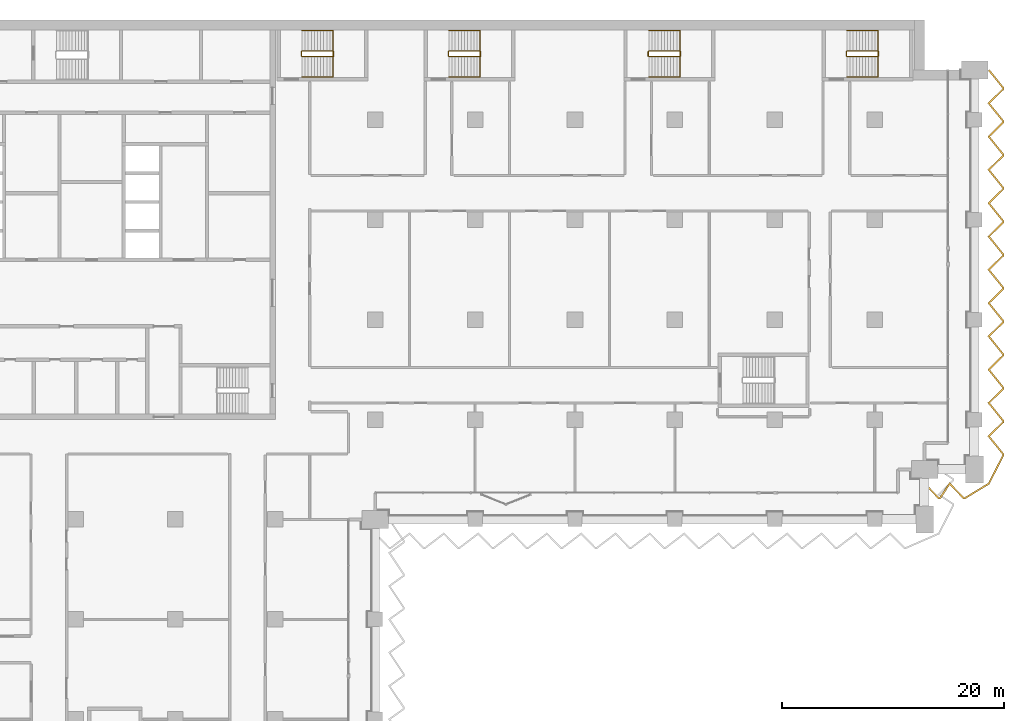
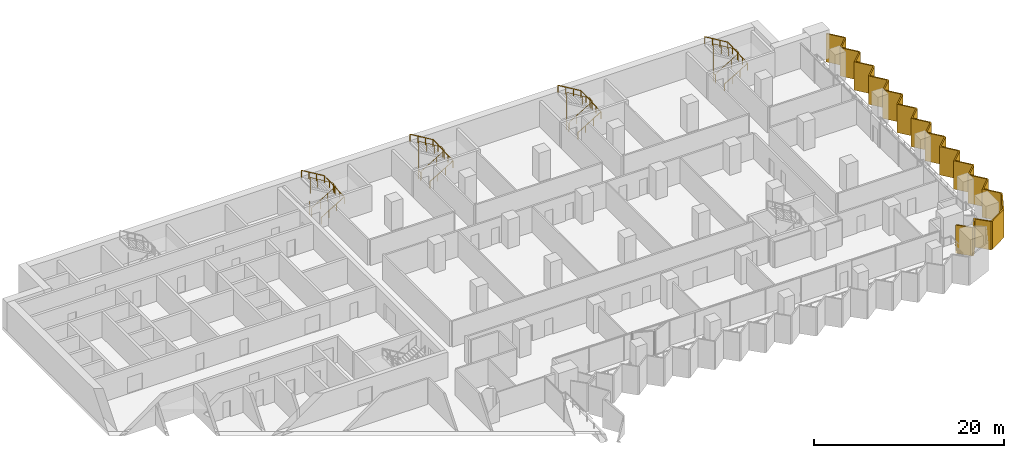
# One storey, part 27 of 28: 8 railings, 1 shading device.
"""IFC4 building model written with IfcOpenShell, lengths in metres."""

from ifc_helpers import new_model, si_unit, direction, frame, origin, origin_2d, place, context, subcontext, project, spatial, polyline, circle, outline, extrude, material, layer, layer_set, type_object, element, save


model = new_model("IFC4")

# Units and contexts
model_context = context("Model", 3, precision=1e-05, world=origin(), true_north=direction((0.0, 1.0)))
body_context = subcontext(model_context, "Body", "Model", "MODEL_VIEW")
ifc_project = project(units=[si_unit("LENGTHUNIT", "METRE"), si_unit("AREAUNIT", "SQUARE_METRE"), si_unit("VOLUMEUNIT", "CUBIC_METRE"), si_unit("PLANEANGLEUNIT", "RADIAN"), si_unit("MASSUNIT", "GRAM", prefix="KILO")], contexts=[model_context])

# Site, building, storey
site_placement = place(None, origin())
site = spatial("IfcSite", under=ifc_project, at=site_placement, CompositionType="ELEMENT")
building_placement = place(site_placement, origin())
building = spatial("IfcBuilding", under=site, at=building_placement, Name="Hunhe Ridgeline Campus", CompositionType="ELEMENT")
storey_placement = place(building_placement, frame((0.0, 0.0, 39.5)))
storey = spatial("IfcBuildingStorey", under=building, at=storey_placement, Name="L08", CompositionType="ELEMENT", Elevation=39.5)

# Shading device
ifc_material_1 = material(Name="Concrete C50", Category="concrete")
ifc_layer = layer(ifc_material_1, 0.14990234375)
ifc_layer_set = layer_set([ifc_layer], Name="Sawtooth concrete fin 150 Concrete C50")
shading_device_type = type_object("IfcShadingDeviceType", Name="Sawtooth concrete fin 150 Concrete C50", PredefinedType="USERDEFINED", material=ifc_layer_set)
shading_device_placement = place(storey_placement, frame((0.0, 0.0, -0.949951171875)))
element("IfcShadingDevice", 1, at=shading_device_placement, inside=storey, type_object=shading_device_type, Name="Concrete fin screen 3", ObjectType="FIN", PredefinedType="USERDEFINED", context=body_context, shape_type="SweptSolid", body=[
    extrude(outline(polyline([(94.5537109375, 57.27734375), (94.4462890625, 57.172607421875), (95.73583984375, 55.85009765625), (95.927734375, 55.85009765625), (96.76123046875, 57.106201171875), (97.98583984375, 55.85009765625), (98.158447265625, 55.85009765625), (100.33203125, 57.171875), (101.64990234375, 59.74951171875), (101.64990234375, 59.9140625), (100.376220703125, 61.493896484375), (101.64990234375, 62.73583984375), (101.64990234375, 62.9140625), (100.376220703125, 64.493896484375), (101.64990234375, 65.73583984375), (101.64990234375, 65.9140625), (100.376220703125, 67.493896484375), (101.64990234375, 68.73583984375), (101.64990234375, 68.9140625), (100.376220703125, 70.493896484375), (101.64990234375, 71.73583984375), (101.64990234375, 71.9140625), (100.376220703125, 73.493896484375), (101.64990234375, 74.73583984375), (101.64990234375, 74.9140625), (100.376220703125, 76.493896484375), (101.64990234375, 77.73583984375), (101.64990234375, 77.9140625), (100.376220703125, 79.493896484375), (101.64990234375, 80.73583984375), (101.64990234375, 80.9140625), (100.376220703125, 82.493896484375), (101.64990234375, 83.73583984375), (101.64990234375, 83.9140625), (100.376220703125, 85.493896484375), (101.64990234375, 86.73583984375), (101.64990234375, 86.9140625), (100.376220703125, 88.493896484375), (101.64990234375, 89.73583984375), (101.64990234375, 89.9140625), (100.376220703125, 91.493896484375), (101.64990234375, 92.73583984375), (101.64990234375, 92.9140625), (100.33349609375, 94.547119140625), (100.216552734375, 94.452880859375), (101.5, 92.861083984375), (101.5, 92.799072265625), (100.173828125, 91.506103515625), (101.5, 89.861083984375), (101.5, 89.799072265625), (100.173828125, 88.506103515625), (101.5, 86.861083984375), (101.5, 86.799072265625), (100.173828125, 85.506103515625), (101.5, 83.861083984375), (101.5, 83.799072265625), (100.173828125, 82.506103515625), (101.5, 80.861083984375), (101.5, 80.799072265625), (100.173828125, 79.506103515625), (101.5, 77.861083984375), (101.5, 77.799072265625), (100.173828125, 76.506103515625), (101.5, 74.861083984375), (101.5, 74.799072265625), (100.173828125, 73.506103515625), (101.5, 71.861083984375), (101.5, 71.799072265625), (100.173828125, 70.506103515625), (101.5, 68.861083984375), (101.5, 68.799072265625), (100.173828125, 67.506103515625), (101.5, 65.861083984375), (101.5, 65.799072265625), (100.173828125, 64.506103515625), (101.5, 62.861083984375), (101.5, 62.799072265625), (100.173828125, 61.506103515625), (101.5, 59.861083984375), (101.5, 59.78564453125), (100.2177734375, 57.278076171875), (98.116455078125, 56.0), (98.049072265625, 56.0), (96.73876953125, 57.34375), (95.84716796875, 56.0), (95.799072265625, 56.0), (94.5537109375, 57.27734375)])), origin(), (0.0, 0.0, 1.0), 3.64990234375),
])

# Railings
ifc_material_2 = material(Name="Stainless steel balustrade", Category="steel")
railing_type_1 = type_object("IfcRailingType", Name="Stair guard 1100 stainless", PredefinedType="GUARDRAIL", material=ifc_material_2)
railing_1_placement = place(storey_placement, frame((38.39990234375, 95.699951171875, 0.168212890625)))
element("IfcRailing", 2, at=railing_1_placement, inside=storey, type_object=railing_type_1, Name="L08 stair E1 guard", PredefinedType="GUARDRAIL", context=body_context, shape_type="SweptSolid", body=[
    extrude(circle(Radius=0.02392578125, at=origin_2d()), frame((0.0, 0.0, 1.076171875), z_axis=(0.857242210791, 0.0, 0.514913383045), x_axis=(0.0, 1.0, 0.0)), (0.0, 0.0, 1.0), 3.266357421875),
    extrude(circle(Radius=0.02392578125, at=origin_2d()), frame((2.800048828125, 0.0, 2.7578125), z_axis=(0.707106781187, 0.707106781187, 0.0), x_axis=(-0.707106781187, 0.707106781187, 0.0)), (0.0, 0.0, 1.0), 0.07080078125),
    extrude(circle(Radius=0.02392578125, at=origin_2d()), frame((2.85009765625, 0.050048828125, 2.7578125), z_axis=(0.0, 1.0, 0.0), x_axis=(-1.0, 0.0, 0.0)), (0.0, 0.0, 1.0), 0.39990234375),
    extrude(circle(Radius=0.02392578125, at=origin_2d()), frame((2.85009765625, 0.449951171875, 2.7578125), z_axis=(-0.274582412415, 0.274582412415, 0.921525364591), x_axis=(-0.707106781187, -0.707106781187, 0.0)), (0.0, 0.0, 1.0), 0.182373046875),
    extrude(circle(Radius=0.02392578125, at=origin_2d()), frame((2.800048828125, 0.5, 2.92578125), z_axis=(-0.857242210791, 0.0, 0.514913383045), x_axis=(0.0, -1.0, 0.0)), (0.0, 0.0, 1.0), 3.266357421875),
    extrude(circle(Radius=0.02392578125, at=origin_2d()), frame((0.0, 0.5, 4.60791015625), z_axis=(-0.013458453615, -0.013524426427, -0.999817963389), x_axis=(0.708833529934, -0.705375805398, 0.0)), (0.0, 0.0, 1.0), 3.70068359375),
    extrude(circle(Radius=0.02392578125, at=origin_2d()), frame((-0.0498046875, 0.449951171875, 0.90771484375), z_axis=(0.0, -1.0, 0.0), x_axis=(1.0, 0.0, 0.0)), (0.0, 0.0, 1.0), 0.39990234375),
    extrude(circle(Radius=0.02099609375, at=origin_2d()), origin(), (0.0, 0.0, 1.0), 1.052001953125),
    extrude(circle(Radius=0.02099609375, at=origin_2d()), frame((0.933349609375, 0.0, 0.560546875)), (0.0, 0.0, 1.0), 1.052001953125),
    extrude(circle(Radius=0.02099609375, at=origin_2d()), frame((1.86669921875, 0.0, 1.121337890625)), (0.0, 0.0, 1.0), 1.052001953125),
    extrude(circle(Radius=0.02099609375, at=origin_2d()), frame((2.800048828125, 0.0, 1.681884765625)), (0.0, 0.0, 1.0), 1.052001953125),
    extrude(circle(Radius=0.02099609375, at=origin_2d()), frame((2.85009765625, 0.050048828125, 1.681884765625)), (0.0, 0.0, 1.0), 1.052001953125),
    extrude(circle(Radius=0.02099609375, at=origin_2d()), frame((2.85009765625, 0.449951171875, 1.681884765625)), (0.0, 0.0, 1.0), 1.052001953125),
    extrude(circle(Radius=0.02099609375, at=origin_2d()), frame((2.800048828125, 0.5, 1.849853515625)), (0.0, 0.0, 1.0), 1.052001953125),
    extrude(circle(Radius=0.02099609375, at=origin_2d()), frame((1.86669921875, 0.5, 2.410400390625)), (0.0, 0.0, 1.0), 1.052001953125),
    extrude(circle(Radius=0.02099609375, at=origin_2d()), frame((0.933349609375, 0.5, 2.97119140625)), (0.0, 0.0, 1.0), 1.052001953125),
    extrude(circle(Radius=0.02099609375, at=origin_2d()), frame((0.0, 0.5, 3.53173828125)), (0.0, 0.0, 1.0), 1.052001953125),
    extrude(circle(Radius=0.02099609375, at=origin_2d()), frame((-0.012451171875, 0.487548828125, 2.606689453125)), (0.0, 0.0, 1.0), 1.052001953125),
    extrude(circle(Radius=0.02099609375, at=origin_2d()), frame((-0.02490234375, 0.47509765625, 1.681640625)), (0.0, 0.0, 1.0), 1.052001953125),
    extrude(circle(Radius=0.02099609375, at=origin_2d()), frame((-0.037353515625, 0.46240234375, 0.7568359375)), (0.0, 0.0, 1.0), 1.052001953125),
    extrude(circle(Radius=0.02099609375, at=origin_2d()), frame((-0.0498046875, 0.449951171875, -0.168212890625)), (0.0, 0.0, 1.0), 1.052001953125),
    extrude(circle(Radius=0.02099609375, at=origin_2d()), frame((-0.0498046875, 0.050048828125, -0.168212890625)), (0.0, 0.0, 1.0), 1.052001953125),
])
railing_2_placement = place(storey_placement, frame((51.64990234375, 95.699951171875, 0.168212890625)))
element("IfcRailing", 3, at=railing_2_placement, inside=storey, type_object=railing_type_1, Name="L08 stair E2 guard", PredefinedType="GUARDRAIL", context=body_context, shape_type="SweptSolid", body=[
    extrude(circle(Radius=0.02392578125, at=origin_2d()), frame((0.0, 0.0, 1.076171875), z_axis=(0.857242210791, 0.0, 0.514913383045), x_axis=(0.0, 1.0, 0.0)), (0.0, 0.0, 1.0), 3.266357421875),
    extrude(circle(Radius=0.02392578125, at=origin_2d()), frame((2.800048828125, 0.0, 2.7578125), z_axis=(0.707106781187, 0.707106781187, 0.0), x_axis=(-0.707106781187, 0.707106781187, 0.0)), (0.0, 0.0, 1.0), 0.07080078125),
    extrude(circle(Radius=0.02392578125, at=origin_2d()), frame((2.85009765625, 0.050048828125, 2.7578125), z_axis=(0.0, 1.0, 0.0), x_axis=(-1.0, 0.0, 0.0)), (0.0, 0.0, 1.0), 0.39990234375),
    extrude(circle(Radius=0.02392578125, at=origin_2d()), frame((2.85009765625, 0.449951171875, 2.7578125), z_axis=(-0.274582412415, 0.274582412415, 0.921525364591), x_axis=(-0.707106781187, -0.707106781187, 0.0)), (0.0, 0.0, 1.0), 0.182373046875),
    extrude(circle(Radius=0.02392578125, at=origin_2d()), frame((2.800048828125, 0.5, 2.92578125), z_axis=(-0.857242210791, 0.0, 0.514913383045), x_axis=(0.0, -1.0, 0.0)), (0.0, 0.0, 1.0), 3.266357421875),
    extrude(circle(Radius=0.02392578125, at=origin_2d()), frame((0.0, 0.5, 4.60791015625), z_axis=(-0.013458453615, -0.013524426427, -0.999817963389), x_axis=(0.708833529934, -0.705375805398, 0.0)), (0.0, 0.0, 1.0), 3.70068359375),
    extrude(circle(Radius=0.02392578125, at=origin_2d()), frame((-0.0498046875, 0.449951171875, 0.90771484375), z_axis=(0.0, -1.0, 0.0), x_axis=(1.0, 0.0, 0.0)), (0.0, 0.0, 1.0), 0.39990234375),
    extrude(circle(Radius=0.02099609375, at=origin_2d()), origin(), (0.0, 0.0, 1.0), 1.052001953125),
    extrude(circle(Radius=0.02099609375, at=origin_2d()), frame((0.933349609375, 0.0, 0.560546875)), (0.0, 0.0, 1.0), 1.052001953125),
    extrude(circle(Radius=0.02099609375, at=origin_2d()), frame((1.86669921875, 0.0, 1.121337890625)), (0.0, 0.0, 1.0), 1.052001953125),
    extrude(circle(Radius=0.02099609375, at=origin_2d()), frame((2.800048828125, 0.0, 1.681884765625)), (0.0, 0.0, 1.0), 1.052001953125),
    extrude(circle(Radius=0.02099609375, at=origin_2d()), frame((2.85009765625, 0.050048828125, 1.681884765625)), (0.0, 0.0, 1.0), 1.052001953125),
    extrude(circle(Radius=0.02099609375, at=origin_2d()), frame((2.85009765625, 0.449951171875, 1.681884765625)), (0.0, 0.0, 1.0), 1.052001953125),
    extrude(circle(Radius=0.02099609375, at=origin_2d()), frame((2.800048828125, 0.5, 1.849853515625)), (0.0, 0.0, 1.0), 1.052001953125),
    extrude(circle(Radius=0.02099609375, at=origin_2d()), frame((1.86669921875, 0.5, 2.410400390625)), (0.0, 0.0, 1.0), 1.052001953125),
    extrude(circle(Radius=0.02099609375, at=origin_2d()), frame((0.933349609375, 0.5, 2.97119140625)), (0.0, 0.0, 1.0), 1.052001953125),
    extrude(circle(Radius=0.02099609375, at=origin_2d()), frame((0.0, 0.5, 3.53173828125)), (0.0, 0.0, 1.0), 1.052001953125),
    extrude(circle(Radius=0.02099609375, at=origin_2d()), frame((-0.012451171875, 0.487548828125, 2.606689453125)), (0.0, 0.0, 1.0), 1.052001953125),
    extrude(circle(Radius=0.02099609375, at=origin_2d()), frame((-0.02490234375, 0.47509765625, 1.681640625)), (0.0, 0.0, 1.0), 1.052001953125),
    extrude(circle(Radius=0.02099609375, at=origin_2d()), frame((-0.037353515625, 0.46240234375, 0.7568359375)), (0.0, 0.0, 1.0), 1.052001953125),
    extrude(circle(Radius=0.02099609375, at=origin_2d()), frame((-0.0498046875, 0.449951171875, -0.168212890625)), (0.0, 0.0, 1.0), 1.052001953125),
    extrude(circle(Radius=0.02099609375, at=origin_2d()), frame((-0.0498046875, 0.050048828125, -0.168212890625)), (0.0, 0.0, 1.0), 1.052001953125),
])
railing_3_placement = place(storey_placement, frame((69.64990234375, 95.699951171875, 0.168212890625)))
element("IfcRailing", 4, at=railing_3_placement, inside=storey, type_object=railing_type_1, Name="L08 stair E3 guard", PredefinedType="GUARDRAIL", context=body_context, shape_type="SweptSolid", body=[
    extrude(circle(Radius=0.02392578125, at=origin_2d()), frame((0.0, 0.0, 1.076171875), z_axis=(0.857242210791, 0.0, 0.514913383045), x_axis=(0.0, 1.0, 0.0)), (0.0, 0.0, 1.0), 3.266357421875),
    extrude(circle(Radius=0.02392578125, at=origin_2d()), frame((2.800048828125, 0.0, 2.7578125), z_axis=(0.707106781187, 0.707106781187, 0.0), x_axis=(-0.707106781187, 0.707106781187, 0.0)), (0.0, 0.0, 1.0), 0.07080078125),
    extrude(circle(Radius=0.02392578125, at=origin_2d()), frame((2.85009765625, 0.050048828125, 2.7578125), z_axis=(0.0, 1.0, 0.0), x_axis=(-1.0, 0.0, 0.0)), (0.0, 0.0, 1.0), 0.39990234375),
    extrude(circle(Radius=0.02392578125, at=origin_2d()), frame((2.85009765625, 0.449951171875, 2.7578125), z_axis=(-0.274582412415, 0.274582412415, 0.921525364591), x_axis=(-0.707106781187, -0.707106781187, 0.0)), (0.0, 0.0, 1.0), 0.182373046875),
    extrude(circle(Radius=0.02392578125, at=origin_2d()), frame((2.800048828125, 0.5, 2.92578125), z_axis=(-0.857242210791, 0.0, 0.514913383045), x_axis=(0.0, -1.0, 0.0)), (0.0, 0.0, 1.0), 3.266357421875),
    extrude(circle(Radius=0.02392578125, at=origin_2d()), frame((0.0, 0.5, 4.60791015625), z_axis=(-0.013458453615, -0.013524426427, -0.999817963389), x_axis=(0.708833529934, -0.705375805398, 0.0)), (0.0, 0.0, 1.0), 3.70068359375),
    extrude(circle(Radius=0.02392578125, at=origin_2d()), frame((-0.0498046875, 0.449951171875, 0.90771484375), z_axis=(0.0, -1.0, 0.0), x_axis=(1.0, 0.0, 0.0)), (0.0, 0.0, 1.0), 0.39990234375),
    extrude(circle(Radius=0.02099609375, at=origin_2d()), origin(), (0.0, 0.0, 1.0), 1.052001953125),
    extrude(circle(Radius=0.02099609375, at=origin_2d()), frame((0.933349609375, 0.0, 0.560546875)), (0.0, 0.0, 1.0), 1.052001953125),
    extrude(circle(Radius=0.02099609375, at=origin_2d()), frame((1.86669921875, 0.0, 1.121337890625)), (0.0, 0.0, 1.0), 1.052001953125),
    extrude(circle(Radius=0.02099609375, at=origin_2d()), frame((2.800048828125, 0.0, 1.681884765625)), (0.0, 0.0, 1.0), 1.052001953125),
    extrude(circle(Radius=0.02099609375, at=origin_2d()), frame((2.85009765625, 0.050048828125, 1.681884765625)), (0.0, 0.0, 1.0), 1.052001953125),
    extrude(circle(Radius=0.02099609375, at=origin_2d()), frame((2.85009765625, 0.449951171875, 1.681884765625)), (0.0, 0.0, 1.0), 1.052001953125),
    extrude(circle(Radius=0.02099609375, at=origin_2d()), frame((2.800048828125, 0.5, 1.849853515625)), (0.0, 0.0, 1.0), 1.052001953125),
    extrude(circle(Radius=0.02099609375, at=origin_2d()), frame((1.86669921875, 0.5, 2.410400390625)), (0.0, 0.0, 1.0), 1.052001953125),
    extrude(circle(Radius=0.02099609375, at=origin_2d()), frame((0.933349609375, 0.5, 2.97119140625)), (0.0, 0.0, 1.0), 1.052001953125),
    extrude(circle(Radius=0.02099609375, at=origin_2d()), frame((0.0, 0.5, 3.53173828125)), (0.0, 0.0, 1.0), 1.052001953125),
    extrude(circle(Radius=0.02099609375, at=origin_2d()), frame((-0.012451171875, 0.487548828125, 2.606689453125)), (0.0, 0.0, 1.0), 1.052001953125),
    extrude(circle(Radius=0.02099609375, at=origin_2d()), frame((-0.02490234375, 0.47509765625, 1.681640625)), (0.0, 0.0, 1.0), 1.052001953125),
    extrude(circle(Radius=0.02099609375, at=origin_2d()), frame((-0.037353515625, 0.46240234375, 0.7568359375)), (0.0, 0.0, 1.0), 1.052001953125),
    extrude(circle(Radius=0.02099609375, at=origin_2d()), frame((-0.0498046875, 0.449951171875, -0.168212890625)), (0.0, 0.0, 1.0), 1.052001953125),
    extrude(circle(Radius=0.02099609375, at=origin_2d()), frame((-0.0498046875, 0.050048828125, -0.168212890625)), (0.0, 0.0, 1.0), 1.052001953125),
])
railing_4_placement = place(storey_placement, frame((87.5, 95.699951171875, 0.168212890625)))
element("IfcRailing", 5, at=railing_4_placement, inside=storey, type_object=railing_type_1, Name="L08 stair E4 guard", PredefinedType="GUARDRAIL", context=body_context, shape_type="SweptSolid", body=[
    extrude(circle(Radius=0.02392578125, at=origin_2d()), frame((0.0, 0.0, 1.076171875), z_axis=(0.857242210791, 0.0, 0.514913383045), x_axis=(0.0, 1.0, 0.0)), (0.0, 0.0, 1.0), 3.266357421875),
    extrude(circle(Radius=0.02392578125, at=origin_2d()), frame((2.800048828125, 0.0, 2.7578125), z_axis=(0.707106781187, 0.707106781187, 0.0), x_axis=(-0.707106781187, 0.707106781187, 0.0)), (0.0, 0.0, 1.0), 0.07080078125),
    extrude(circle(Radius=0.02392578125, at=origin_2d()), frame((2.85009765625, 0.050048828125, 2.7578125), z_axis=(0.0, 1.0, 0.0), x_axis=(-1.0, 0.0, 0.0)), (0.0, 0.0, 1.0), 0.39990234375),
    extrude(circle(Radius=0.02392578125, at=origin_2d()), frame((2.85009765625, 0.449951171875, 2.7578125), z_axis=(-0.274582412415, 0.274582412415, 0.921525364591), x_axis=(-0.707106781187, -0.707106781187, 0.0)), (0.0, 0.0, 1.0), 0.182373046875),
    extrude(circle(Radius=0.02392578125, at=origin_2d()), frame((2.800048828125, 0.5, 2.92578125), z_axis=(-0.857242210791, 0.0, 0.514913383045), x_axis=(0.0, -1.0, 0.0)), (0.0, 0.0, 1.0), 3.266357421875),
    extrude(circle(Radius=0.02392578125, at=origin_2d()), frame((0.0, 0.5, 4.60791015625), z_axis=(-0.013524414389, -0.013524414389, -0.999817073484), x_axis=(0.707106781187, -0.707106781187, 0.0)), (0.0, 0.0, 1.0), 3.70068359375),
    extrude(circle(Radius=0.02392578125, at=origin_2d()), frame((-0.050048828125, 0.449951171875, 0.90771484375), z_axis=(0.0, -1.0, 0.0), x_axis=(1.0, 0.0, 0.0)), (0.0, 0.0, 1.0), 0.39990234375),
    extrude(circle(Radius=0.02099609375, at=origin_2d()), origin(), (0.0, 0.0, 1.0), 1.052001953125),
    extrude(circle(Radius=0.02099609375, at=origin_2d()), frame((0.933349609375, 0.0, 0.560546875)), (0.0, 0.0, 1.0), 1.052001953125),
    extrude(circle(Radius=0.02099609375, at=origin_2d()), frame((1.86669921875, 0.0, 1.121337890625)), (0.0, 0.0, 1.0), 1.052001953125),
    extrude(circle(Radius=0.02099609375, at=origin_2d()), frame((2.800048828125, 0.0, 1.681884765625)), (0.0, 0.0, 1.0), 1.052001953125),
    extrude(circle(Radius=0.02099609375, at=origin_2d()), frame((2.85009765625, 0.050048828125, 1.681884765625)), (0.0, 0.0, 1.0), 1.052001953125),
    extrude(circle(Radius=0.02099609375, at=origin_2d()), frame((2.85009765625, 0.449951171875, 1.681884765625)), (0.0, 0.0, 1.0), 1.052001953125),
    extrude(circle(Radius=0.02099609375, at=origin_2d()), frame((2.800048828125, 0.5, 1.849853515625)), (0.0, 0.0, 1.0), 1.052001953125),
    extrude(circle(Radius=0.02099609375, at=origin_2d()), frame((1.86669921875, 0.5, 2.410400390625)), (0.0, 0.0, 1.0), 1.052001953125),
    extrude(circle(Radius=0.02099609375, at=origin_2d()), frame((0.933349609375, 0.5, 2.97119140625)), (0.0, 0.0, 1.0), 1.052001953125),
    extrude(circle(Radius=0.02099609375, at=origin_2d()), frame((0.0, 0.5, 3.53173828125)), (0.0, 0.0, 1.0), 1.052001953125),
    extrude(circle(Radius=0.02099609375, at=origin_2d()), frame((-0.012451171875, 0.487548828125, 2.606689453125)), (0.0, 0.0, 1.0), 1.052001953125),
    extrude(circle(Radius=0.02099609375, at=origin_2d()), frame((-0.02490234375, 0.47509765625, 1.681640625)), (0.0, 0.0, 1.0), 1.052001953125),
    extrude(circle(Radius=0.02099609375, at=origin_2d()), frame((-0.03759765625, 0.46240234375, 0.7568359375)), (0.0, 0.0, 1.0), 1.052001953125),
    extrude(circle(Radius=0.02099609375, at=origin_2d()), frame((-0.050048828125, 0.449951171875, -0.168212890625)), (0.0, 0.0, 1.0), 1.052001953125),
    extrude(circle(Radius=0.02099609375, at=origin_2d()), frame((-0.050048828125, 0.050048828125, -0.168212890625)), (0.0, 0.0, 1.0), 1.052001953125),
])
ifc_material_3 = material(Name="Stainless steel handrail", Category="steel")
railing_type_2 = type_object("IfcRailingType", Name="Stair handrail 900 stainless", PredefinedType="HANDRAIL", material=ifc_material_3)
railing_5_placement = place(storey_placement, frame((38.39990234375, 93.85009765625, 0.168212890625)))
element("IfcRailing", 6, at=railing_5_placement, inside=storey, type_object=railing_type_2, Name="L08 stair E1 handrail", PredefinedType="HANDRAIL", context=body_context, shape_type="SweptSolid", body=[
    extrude(circle(Radius=0.02392578125, at=origin_2d()), frame((0.0, 0.0, 0.8759765625), z_axis=(0.857242210791, 0.0, 0.514913383045), x_axis=(0.0, 1.0, 0.0)), (0.0, 0.0, 1.0), 3.266357421875),
    extrude(circle(Radius=0.02392578125, at=origin_2d()), frame((2.800048828125, 0.0, 2.5576171875), z_axis=(0.0, 0.99920123705, 0.039961079526), x_axis=(-1.0, 0.0, 0.0)), (0.0, 0.0, 1.0), 4.203369140625),
    extrude(circle(Radius=0.02392578125, at=origin_2d()), frame((2.800048828125, 4.199951171875, 2.7255859375), z_axis=(-0.857242210791, 0.0, 0.514913383045), x_axis=(0.0, -1.0, 0.0)), (0.0, 0.0, 1.0), 3.266357421875),
    extrude(circle(Radius=0.02099609375, at=origin_2d()), origin(), (0.0, 0.0, 1.0), 0.851806640625),
    extrude(circle(Radius=0.02099609375, at=origin_2d()), frame((0.933349609375, 0.0, 0.560546875)), (0.0, 0.0, 1.0), 0.851806640625),
    extrude(circle(Radius=0.02099609375, at=origin_2d()), frame((1.86669921875, 0.0, 1.121337890625)), (0.0, 0.0, 1.0), 0.851806640625),
    extrude(circle(Radius=0.02099609375, at=origin_2d()), frame((2.800048828125, 0.0, 1.681884765625)), (0.0, 0.0, 1.0), 0.851806640625),
    extrude(circle(Radius=0.02099609375, at=origin_2d()), frame((2.800048828125, 1.050048828125, 1.723876953125)), (0.0, 0.0, 1.0), 0.851806640625),
    extrude(circle(Radius=0.02099609375, at=origin_2d()), frame((2.800048828125, 2.10009765625, 1.765869140625)), (0.0, 0.0, 1.0), 0.851806640625),
    extrude(circle(Radius=0.02099609375, at=origin_2d()), frame((2.800048828125, 3.14990234375, 1.807861328125)), (0.0, 0.0, 1.0), 0.851806640625),
    extrude(circle(Radius=0.02099609375, at=origin_2d()), frame((2.800048828125, 4.199951171875, 1.849853515625)), (0.0, 0.0, 1.0), 0.851806640625),
    extrude(circle(Radius=0.02099609375, at=origin_2d()), frame((1.86669921875, 4.199951171875, 2.410400390625)), (0.0, 0.0, 1.0), 0.851806640625),
    extrude(circle(Radius=0.02099609375, at=origin_2d()), frame((0.933349609375, 4.199951171875, 2.97119140625)), (0.0, 0.0, 1.0), 0.851806640625),
    extrude(circle(Radius=0.02099609375, at=origin_2d()), frame((0.0, 4.199951171875, 3.53173828125)), (0.0, 0.0, 1.0), 0.851806640625),
])
railing_6_placement = place(storey_placement, frame((51.64990234375, 93.85009765625, 0.168212890625)))
element("IfcRailing", 7, at=railing_6_placement, inside=storey, type_object=railing_type_2, Name="L08 stair E2 handrail", PredefinedType="HANDRAIL", context=body_context, shape_type="SweptSolid", body=[
    extrude(circle(Radius=0.02392578125, at=origin_2d()), frame((0.0, 0.0, 0.8759765625), z_axis=(0.857242210791, 0.0, 0.514913383045), x_axis=(0.0, 1.0, 0.0)), (0.0, 0.0, 1.0), 3.266357421875),
    extrude(circle(Radius=0.02392578125, at=origin_2d()), frame((2.800048828125, 0.0, 2.5576171875), z_axis=(0.0, 0.99920123705, 0.039961079526), x_axis=(-1.0, 0.0, 0.0)), (0.0, 0.0, 1.0), 4.203369140625),
    extrude(circle(Radius=0.02392578125, at=origin_2d()), frame((2.800048828125, 4.199951171875, 2.7255859375), z_axis=(-0.857242210791, 0.0, 0.514913383045), x_axis=(0.0, -1.0, 0.0)), (0.0, 0.0, 1.0), 3.266357421875),
    extrude(circle(Radius=0.02099609375, at=origin_2d()), origin(), (0.0, 0.0, 1.0), 0.851806640625),
    extrude(circle(Radius=0.02099609375, at=origin_2d()), frame((0.933349609375, 0.0, 0.560546875)), (0.0, 0.0, 1.0), 0.851806640625),
    extrude(circle(Radius=0.02099609375, at=origin_2d()), frame((1.86669921875, 0.0, 1.121337890625)), (0.0, 0.0, 1.0), 0.851806640625),
    extrude(circle(Radius=0.02099609375, at=origin_2d()), frame((2.800048828125, 0.0, 1.681884765625)), (0.0, 0.0, 1.0), 0.851806640625),
    extrude(circle(Radius=0.02099609375, at=origin_2d()), frame((2.800048828125, 1.050048828125, 1.723876953125)), (0.0, 0.0, 1.0), 0.851806640625),
    extrude(circle(Radius=0.02099609375, at=origin_2d()), frame((2.800048828125, 2.10009765625, 1.765869140625)), (0.0, 0.0, 1.0), 0.851806640625),
    extrude(circle(Radius=0.02099609375, at=origin_2d()), frame((2.800048828125, 3.14990234375, 1.807861328125)), (0.0, 0.0, 1.0), 0.851806640625),
    extrude(circle(Radius=0.02099609375, at=origin_2d()), frame((2.800048828125, 4.199951171875, 1.849853515625)), (0.0, 0.0, 1.0), 0.851806640625),
    extrude(circle(Radius=0.02099609375, at=origin_2d()), frame((1.86669921875, 4.199951171875, 2.410400390625)), (0.0, 0.0, 1.0), 0.851806640625),
    extrude(circle(Radius=0.02099609375, at=origin_2d()), frame((0.933349609375, 4.199951171875, 2.97119140625)), (0.0, 0.0, 1.0), 0.851806640625),
    extrude(circle(Radius=0.02099609375, at=origin_2d()), frame((0.0, 4.199951171875, 3.53173828125)), (0.0, 0.0, 1.0), 0.851806640625),
])
railing_7_placement = place(storey_placement, frame((69.64990234375, 93.85009765625, 0.168212890625)))
element("IfcRailing", 8, at=railing_7_placement, inside=storey, type_object=railing_type_2, Name="L08 stair E3 handrail", PredefinedType="HANDRAIL", context=body_context, shape_type="SweptSolid", body=[
    extrude(circle(Radius=0.02392578125, at=origin_2d()), frame((0.0, 0.0, 0.8759765625), z_axis=(0.857242210791, 0.0, 0.514913383045), x_axis=(0.0, 1.0, 0.0)), (0.0, 0.0, 1.0), 3.266357421875),
    extrude(circle(Radius=0.02392578125, at=origin_2d()), frame((2.800048828125, 0.0, 2.5576171875), z_axis=(0.0, 0.99920123705, 0.039961079526), x_axis=(-1.0, 0.0, 0.0)), (0.0, 0.0, 1.0), 4.203369140625),
    extrude(circle(Radius=0.02392578125, at=origin_2d()), frame((2.800048828125, 4.199951171875, 2.7255859375), z_axis=(-0.857242210791, 0.0, 0.514913383045), x_axis=(0.0, -1.0, 0.0)), (0.0, 0.0, 1.0), 3.266357421875),
    extrude(circle(Radius=0.02099609375, at=origin_2d()), origin(), (0.0, 0.0, 1.0), 0.851806640625),
    extrude(circle(Radius=0.02099609375, at=origin_2d()), frame((0.933349609375, 0.0, 0.560546875)), (0.0, 0.0, 1.0), 0.851806640625),
    extrude(circle(Radius=0.02099609375, at=origin_2d()), frame((1.86669921875, 0.0, 1.121337890625)), (0.0, 0.0, 1.0), 0.851806640625),
    extrude(circle(Radius=0.02099609375, at=origin_2d()), frame((2.800048828125, 0.0, 1.681884765625)), (0.0, 0.0, 1.0), 0.851806640625),
    extrude(circle(Radius=0.02099609375, at=origin_2d()), frame((2.800048828125, 1.050048828125, 1.723876953125)), (0.0, 0.0, 1.0), 0.851806640625),
    extrude(circle(Radius=0.02099609375, at=origin_2d()), frame((2.800048828125, 2.10009765625, 1.765869140625)), (0.0, 0.0, 1.0), 0.851806640625),
    extrude(circle(Radius=0.02099609375, at=origin_2d()), frame((2.800048828125, 3.14990234375, 1.807861328125)), (0.0, 0.0, 1.0), 0.851806640625),
    extrude(circle(Radius=0.02099609375, at=origin_2d()), frame((2.800048828125, 4.199951171875, 1.849853515625)), (0.0, 0.0, 1.0), 0.851806640625),
    extrude(circle(Radius=0.02099609375, at=origin_2d()), frame((1.86669921875, 4.199951171875, 2.410400390625)), (0.0, 0.0, 1.0), 0.851806640625),
    extrude(circle(Radius=0.02099609375, at=origin_2d()), frame((0.933349609375, 4.199951171875, 2.97119140625)), (0.0, 0.0, 1.0), 0.851806640625),
    extrude(circle(Radius=0.02099609375, at=origin_2d()), frame((0.0, 4.199951171875, 3.53173828125)), (0.0, 0.0, 1.0), 0.851806640625),
])
railing_8_placement = place(storey_placement, frame((87.5, 93.85009765625, 0.168212890625)))
element("IfcRailing", 9, at=railing_8_placement, inside=storey, type_object=railing_type_2, Name="L08 stair E4 handrail", PredefinedType="HANDRAIL", context=body_context, shape_type="SweptSolid", body=[
    extrude(circle(Radius=0.02392578125, at=origin_2d()), frame((0.0, 0.0, 0.8759765625), z_axis=(0.857242210791, 0.0, 0.514913383045), x_axis=(0.0, 1.0, 0.0)), (0.0, 0.0, 1.0), 3.266357421875),
    extrude(circle(Radius=0.02392578125, at=origin_2d()), frame((2.800048828125, 0.0, 2.5576171875), z_axis=(0.0, 0.99920123705, 0.039961079526), x_axis=(-1.0, 0.0, 0.0)), (0.0, 0.0, 1.0), 4.203369140625),
    extrude(circle(Radius=0.02392578125, at=origin_2d()), frame((2.800048828125, 4.199951171875, 2.7255859375), z_axis=(-0.857242210791, 0.0, 0.514913383045), x_axis=(0.0, -1.0, 0.0)), (0.0, 0.0, 1.0), 3.266357421875),
    extrude(circle(Radius=0.02099609375, at=origin_2d()), origin(), (0.0, 0.0, 1.0), 0.851806640625),
    extrude(circle(Radius=0.02099609375, at=origin_2d()), frame((0.933349609375, 0.0, 0.560546875)), (0.0, 0.0, 1.0), 0.851806640625),
    extrude(circle(Radius=0.02099609375, at=origin_2d()), frame((1.86669921875, 0.0, 1.121337890625)), (0.0, 0.0, 1.0), 0.851806640625),
    extrude(circle(Radius=0.02099609375, at=origin_2d()), frame((2.800048828125, 0.0, 1.681884765625)), (0.0, 0.0, 1.0), 0.851806640625),
    extrude(circle(Radius=0.02099609375, at=origin_2d()), frame((2.800048828125, 1.050048828125, 1.723876953125)), (0.0, 0.0, 1.0), 0.851806640625),
    extrude(circle(Radius=0.02099609375, at=origin_2d()), frame((2.800048828125, 2.10009765625, 1.765869140625)), (0.0, 0.0, 1.0), 0.851806640625),
    extrude(circle(Radius=0.02099609375, at=origin_2d()), frame((2.800048828125, 3.14990234375, 1.807861328125)), (0.0, 0.0, 1.0), 0.851806640625),
    extrude(circle(Radius=0.02099609375, at=origin_2d()), frame((2.800048828125, 4.199951171875, 1.849853515625)), (0.0, 0.0, 1.0), 0.851806640625),
    extrude(circle(Radius=0.02099609375, at=origin_2d()), frame((1.86669921875, 4.199951171875, 2.410400390625)), (0.0, 0.0, 1.0), 0.851806640625),
    extrude(circle(Radius=0.02099609375, at=origin_2d()), frame((0.933349609375, 4.199951171875, 2.97119140625)), (0.0, 0.0, 1.0), 0.851806640625),
    extrude(circle(Radius=0.02099609375, at=origin_2d()), frame((0.0, 4.199951171875, 3.53173828125)), (0.0, 0.0, 1.0), 0.851806640625),
])

save(model, "model.ifc")
